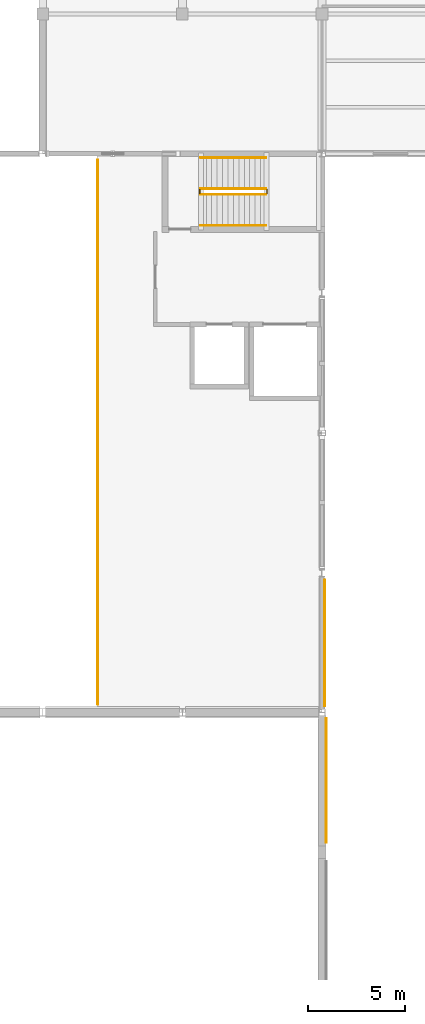
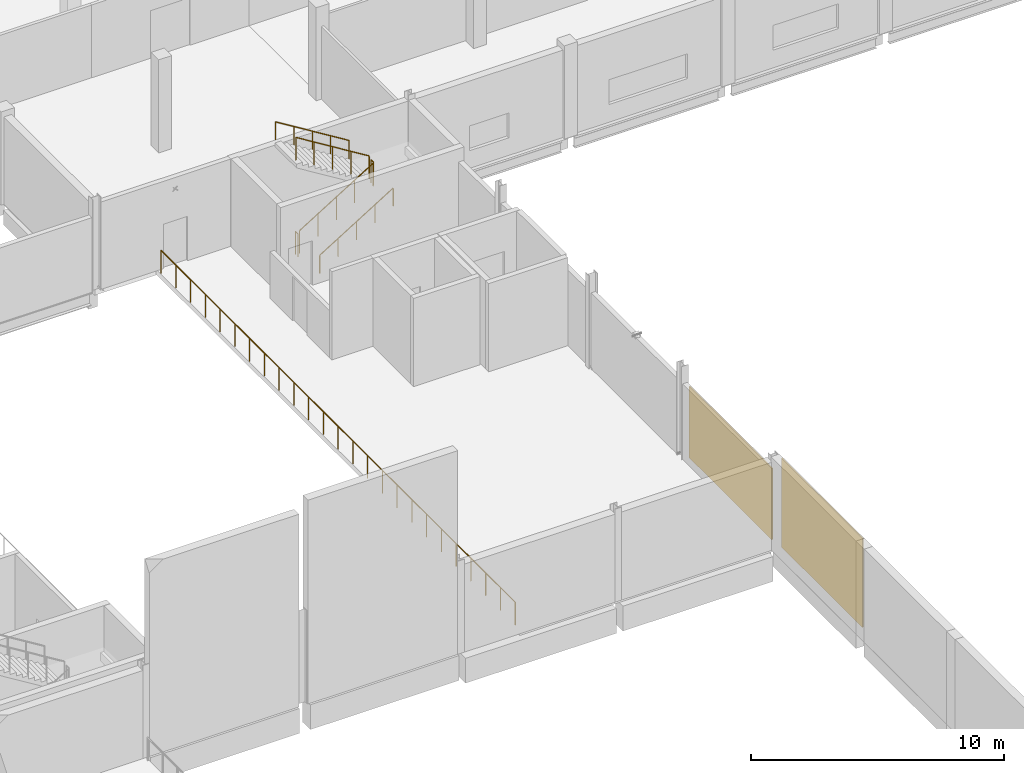
# One storey, part 73 of 76: 7 railings, 2 coverings.
"""IFC4 building model written with IfcOpenShell, lengths in metres."""

from ifc_helpers import new_model, si_unit, direction, frame, origin, origin_2d, place, context, subcontext, project, spatial, rectangle, circle, extrude, material, layer, layer_set, type_object, element, save


model = new_model("IFC4")

# Units and contexts
model_context = context("Model", 3, precision=1e-05, world=origin(), true_north=direction((0.0, 1.0)))
body_context = subcontext(model_context, "Body", "Model", "MODEL_VIEW")
ifc_project = project(units=[si_unit("LENGTHUNIT", "METRE"), si_unit("AREAUNIT", "SQUARE_METRE"), si_unit("VOLUMEUNIT", "CUBIC_METRE"), si_unit("PLANEANGLEUNIT", "RADIAN"), si_unit("MASSUNIT", "GRAM", prefix="KILO"), si_unit("THERMODYNAMICTEMPERATUREUNIT", "KELVIN"), si_unit("POWERUNIT", "WATT")], contexts=[model_context])

# Site, building, storey
site_placement = place(None, origin())
site = spatial("IfcSite", under=ifc_project, at=site_placement, CompositionType="ELEMENT")
building_placement = place(site_placement, origin())
building = spatial("IfcBuilding", under=site, at=building_placement, Name="Kaldorven Railside Theatre", CompositionType="ELEMENT")
storey_placement = place(building_placement, frame((0.0, 0.0, 14.39990234375)))
storey = spatial("IfcBuildingStorey", under=building, at=storey_placement, Name="L03", CompositionType="ELEMENT", Elevation=14.39990234375)

# Coverings
ifc_material_1 = material(Name="Bush-hammered precast concrete C40/50", Category="concrete")
ifc_layer = layer(ifc_material_1, 0.050048828125, Name="Bush-hammered precast concrete C40/50")
ifc_layer_set = layer_set([ifc_layer], Name="Bush-hammered precast concrete C40/50")
covering_type = type_object("IfcCoveringType", Name="COV-CLD-01", PredefinedType="CLADDING", material=ifc_layer_set)
covering_1_placement = place(storey_placement, frame((123.410888671875, 80.485107421875, 0.10009765625), z_axis=(0.0, 0.0, 1.0), x_axis=(0.0, -1.0, 0.0)))
element("IfcCovering", 1, at=covering_1_placement, inside=storey, type_object=covering_type, Name="Bush-Hammered Laterite Rainscreen Panel CLD-023", PredefinedType="CLADDING", context=body_context, shape_type="SweptSolid", body=[
    extrude(rectangle(XDim=6.419921875, YDim=0.050048828125, at=origin_2d()), origin(), (0.0, 0.0, 1.0), 4.300048828125),
])
covering_2_placement = place(storey_placement, frame((123.3310546875, 87.577392578125, 0.10009765625), z_axis=(0.0, 0.0, 1.0), x_axis=(0.0, -1.0, 0.0)))
element("IfcCovering", 2, at=covering_2_placement, inside=storey, type_object=covering_type, Name="Bush-Hammered Laterite Rainscreen Panel CLD-040", PredefinedType="CLADDING", context=body_context, shape_type="SweptSolid", body=[
    extrude(rectangle(XDim=6.544921875, YDim=0.050048828125, at=origin_2d()), origin(), (0.0, 0.0, 1.0), 3.455078125),
])

# Railings
ifc_material_2 = material(Name="Anodised bronze aluminium", Category="aluminium")
railing_type_1 = type_object("IfcRailingType", Name="RLG-BAL-1100", PredefinedType="BALUSTRADE", material=ifc_material_2)
railing_1_placement = place(storey_placement, frame((111.639892578125, 84.419921875, 0.0)))
element("IfcRailing", 3, at=railing_1_placement, inside=storey, type_object=railing_type_1, Name="L03 Safety Balustrade GR-122", PredefinedType="BALUSTRADE", context=body_context, shape_type="SweptSolid", body=[
    extrude(circle(Radius=0.02392578125, at=origin_2d()), frame((0.0, 0.0, 1.09619140625), z_axis=(0.0, 1.0, 0.0), x_axis=(-1.0, 0.0, 0.0)), (0.0, 0.0, 1.0), 28.050048828125),
    extrude(circle(Radius=0.02099609375, at=origin_2d()), origin(), (0.0, 0.0, 1.0), 1.072021484375),
    extrude(circle(Radius=0.02099609375, at=origin_2d()), frame((0.0, 1.168701171875, 0.0)), (0.0, 0.0, 1.0), 1.072021484375),
    extrude(circle(Radius=0.02099609375, at=origin_2d()), frame((0.0, 2.33740234375, 0.0)), (0.0, 0.0, 1.0), 1.072021484375),
    extrude(circle(Radius=0.02099609375, at=origin_2d()), frame((0.0, 3.50634765625, 0.0)), (0.0, 0.0, 1.0), 1.072021484375),
    extrude(circle(Radius=0.02099609375, at=origin_2d()), frame((0.0, 4.675048828125, 0.0)), (0.0, 0.0, 1.0), 1.072021484375),
    extrude(circle(Radius=0.02099609375, at=origin_2d()), frame((0.0, 5.84375, 0.0)), (0.0, 0.0, 1.0), 1.072021484375),
    extrude(circle(Radius=0.02099609375, at=origin_2d()), frame((0.0, 7.012451171875, 0.0)), (0.0, 0.0, 1.0), 1.072021484375),
    extrude(circle(Radius=0.02099609375, at=origin_2d()), frame((0.0, 8.18115234375, 0.0)), (0.0, 0.0, 1.0), 1.072021484375),
    extrude(circle(Radius=0.02099609375, at=origin_2d()), frame((0.0, 9.35009765625, 0.0)), (0.0, 0.0, 1.0), 1.072021484375),
    extrude(circle(Radius=0.02099609375, at=origin_2d()), frame((0.0, 10.518798828125, 0.0)), (0.0, 0.0, 1.0), 1.072021484375),
    extrude(circle(Radius=0.02099609375, at=origin_2d()), frame((0.0, 11.6875, 0.0)), (0.0, 0.0, 1.0), 1.072021484375),
    extrude(circle(Radius=0.02099609375, at=origin_2d()), frame((0.0, 12.856201171875, 0.0)), (0.0, 0.0, 1.0), 1.072021484375),
    extrude(circle(Radius=0.02099609375, at=origin_2d()), frame((0.0, 14.02490234375, 0.0)), (0.0, 0.0, 1.0), 1.072021484375),
    extrude(circle(Radius=0.02099609375, at=origin_2d()), frame((0.0, 15.19384765625, 0.0)), (0.0, 0.0, 1.0), 1.072021484375),
    extrude(circle(Radius=0.02099609375, at=origin_2d()), frame((0.0, 16.362548828125, 0.0)), (0.0, 0.0, 1.0), 1.072021484375),
    extrude(circle(Radius=0.02099609375, at=origin_2d()), frame((0.0, 17.53125, 0.0)), (0.0, 0.0, 1.0), 1.072021484375),
    extrude(circle(Radius=0.02099609375, at=origin_2d()), frame((0.0, 18.699951171875, 0.0)), (0.0, 0.0, 1.0), 1.072021484375),
    extrude(circle(Radius=0.02099609375, at=origin_2d()), frame((0.0, 19.868896484375, 0.0)), (0.0, 0.0, 1.0), 1.072021484375),
    extrude(circle(Radius=0.02099609375, at=origin_2d()), frame((0.0, 21.03759765625, 0.0)), (0.0, 0.0, 1.0), 1.072021484375),
    extrude(circle(Radius=0.02099609375, at=origin_2d()), frame((0.0, 22.206298828125, 0.0)), (0.0, 0.0, 1.0), 1.072021484375),
    extrude(circle(Radius=0.02099609375, at=origin_2d()), frame((0.0, 23.375, 0.0)), (0.0, 0.0, 1.0), 1.072021484375),
    extrude(circle(Radius=0.02099609375, at=origin_2d()), frame((0.0, 24.543701171875, 0.0)), (0.0, 0.0, 1.0), 1.072021484375),
    extrude(circle(Radius=0.02099609375, at=origin_2d()), frame((0.0, 25.712646484375, 0.0)), (0.0, 0.0, 1.0), 1.072021484375),
    extrude(circle(Radius=0.02099609375, at=origin_2d()), frame((0.0, 26.88134765625, 0.0)), (0.0, 0.0, 1.0), 1.072021484375),
    extrude(circle(Radius=0.02099609375, at=origin_2d()), frame((0.0, 28.050048828125, 0.0)), (0.0, 0.0, 1.0), 1.072021484375),
])
ifc_material_3 = material(Name="Steel S355", Category="steel")
railing_type_2 = type_object("IfcRailingType", Name="RLG-STG-1100", PredefinedType="BALUSTRADE", material=ifc_material_3)
railing_2_placement = place(storey_placement, frame((116.949951171875, 110.699951171875, 0.173095703125)))
element("IfcRailing", 4, at=railing_2_placement, inside=storey, type_object=railing_type_2, Name="L03 ST-06 stair guard 1", PredefinedType="BALUSTRADE", context=body_context, shape_type="SweptSolid", body=[
    extrude(circle(Radius=0.02392578125, at=origin_2d()), frame((0.0, 0.0, 1.09619140625), z_axis=(0.850623216509, 0.0, 0.525775754039), x_axis=(0.0, 1.0, 0.0)), (0.0, 0.0, 1.0), 3.9501953125),
    extrude(circle(Radius=0.02099609375, at=origin_2d()), origin(), (0.0, 0.0, 1.0), 1.072021484375),
    extrude(circle(Radius=0.02099609375, at=origin_2d()), frame((0.840087890625, 0.0, 0.519287109375)), (0.0, 0.0, 1.0), 1.072021484375),
    extrude(circle(Radius=0.02099609375, at=origin_2d()), frame((1.68017578125, 0.0, 1.03857421875)), (0.0, 0.0, 1.0), 1.072021484375),
    extrude(circle(Radius=0.02099609375, at=origin_2d()), frame((2.52001953125, 0.0, 1.5576171875)), (0.0, 0.0, 1.0), 1.072021484375),
    extrude(circle(Radius=0.02099609375, at=origin_2d()), frame((3.360107421875, 0.0, 2.076904296875)), (0.0, 0.0, 1.0), 1.072021484375),
])
railing_3_placement = place(storey_placement, frame((120.360107421875, 110.75, 2.25)))
element("IfcRailing", 5, at=railing_3_placement, inside=storey, type_object=railing_type_2, Name="L03 ST-06 stair guard 2", PredefinedType="BALUSTRADE", context=body_context, shape_type="SweptSolid", body=[
    extrude(circle(Radius=0.02392578125, at=origin_2d()), frame((0.0, 0.0, 1.09619140625), z_axis=(0.0, 1.0, 0.0), x_axis=(-1.0, 0.0, 0.0)), (0.0, 0.0, 1.0), 0.199951171875),
    extrude(circle(Radius=0.02099609375, at=origin_2d()), origin(), (0.0, 0.0, 1.0), 1.072021484375),
    extrude(circle(Radius=0.02099609375, at=origin_2d()), frame((0.0, 0.199951171875, 0.0)), (0.0, 0.0, 1.0), 1.072021484375),
])
railing_4_placement = place(storey_placement, frame((120.31005859375, 111.0, 2.423095703125)))
element("IfcRailing", 6, at=railing_4_placement, inside=storey, type_object=railing_type_2, Name="L03 ST-06 stair guard 3", PredefinedType="BALUSTRADE", context=body_context, shape_type="SweptSolid", body=[
    extrude(circle(Radius=0.02392578125, at=origin_2d()), frame((0.0, 0.0, 1.09619140625), z_axis=(-0.850623216509, 0.0, 0.525775754039), x_axis=(0.0, -1.0, 0.0)), (0.0, 0.0, 1.0), 3.9501953125),
    extrude(circle(Radius=0.02099609375, at=origin_2d()), origin(), (0.0, 0.0, 1.0), 1.072021484375),
    extrude(circle(Radius=0.02099609375, at=origin_2d()), frame((-0.840087890625, 0.0, 0.519287109375)), (0.0, 0.0, 1.0), 1.072021484375),
    extrude(circle(Radius=0.02099609375, at=origin_2d()), frame((-1.68017578125, 0.0, 1.03857421875)), (0.0, 0.0, 1.0), 1.072021484375),
    extrude(circle(Radius=0.02099609375, at=origin_2d()), frame((-2.52001953125, 0.0, 1.5576171875)), (0.0, 0.0, 1.0), 1.072021484375),
    extrude(circle(Radius=0.02099609375, at=origin_2d()), frame((-3.360107421875, 0.0, 2.076904296875)), (0.0, 0.0, 1.0), 1.072021484375),
])
railing_5_placement = place(storey_placement, frame((116.89990234375, 110.75, 0.0)))
element("IfcRailing", 7, at=railing_5_placement, inside=storey, type_object=railing_type_2, Name="L03 ST-06 stair guard 4", PredefinedType="BALUSTRADE", context=body_context, shape_type="SweptSolid", body=[
    extrude(circle(Radius=0.02392578125, at=origin_2d()), frame((0.0, 0.0, 1.09619140625), z_axis=(0.0, 1.0, 0.0), x_axis=(-1.0, 0.0, 0.0)), (0.0, 0.0, 1.0), 0.199951171875),
    extrude(circle(Radius=0.02099609375, at=origin_2d()), origin(), (0.0, 0.0, 1.0), 1.072021484375),
    extrude(circle(Radius=0.02099609375, at=origin_2d()), frame((0.0, 0.199951171875, 0.0)), (0.0, 0.0, 1.0), 1.072021484375),
])
railing_type_3 = type_object("IfcRailingType", Name="RLG-STH-900", PredefinedType="HANDRAIL", material=ifc_material_3)
railing_6_placement = place(storey_placement, frame((116.949951171875, 109.10009765625, 0.173095703125)))
element("IfcRailing", 8, at=railing_6_placement, inside=storey, type_object=railing_type_3, Name="L03 ST-06 stair handrail 1", PredefinedType="HANDRAIL", context=body_context, shape_type="SweptSolid", body=[
    extrude(circle(Radius=0.02392578125, at=origin_2d()), frame((0.0, 0.0, 0.8759765625), z_axis=(0.850623216509, 0.0, 0.525775754039), x_axis=(0.0, 1.0, 0.0)), (0.0, 0.0, 1.0), 3.9501953125),
    extrude(circle(Radius=0.02099609375, at=origin_2d()), origin(), (0.0, 0.0, 1.0), 0.851806640625),
    extrude(circle(Radius=0.02099609375, at=origin_2d()), frame((0.840087890625, 0.0, 0.519287109375)), (0.0, 0.0, 1.0), 0.851806640625),
    extrude(circle(Radius=0.02099609375, at=origin_2d()), frame((1.68017578125, 0.0, 1.03857421875)), (0.0, 0.0, 1.0), 0.851806640625),
    extrude(circle(Radius=0.02099609375, at=origin_2d()), frame((2.52001953125, 0.0, 1.5576171875)), (0.0, 0.0, 1.0), 0.851806640625),
    extrude(circle(Radius=0.02099609375, at=origin_2d()), frame((3.360107421875, 0.0, 2.076904296875)), (0.0, 0.0, 1.0), 0.851806640625),
])
railing_7_placement = place(storey_placement, frame((120.31005859375, 112.60009765625, 2.423095703125)))
element("IfcRailing", 9, at=railing_7_placement, inside=storey, type_object=railing_type_3, Name="L03 ST-06 stair handrail 2", PredefinedType="HANDRAIL", context=body_context, shape_type="SweptSolid", body=[
    extrude(circle(Radius=0.02392578125, at=origin_2d()), frame((0.0, 0.0, 0.8759765625), z_axis=(-0.850623216509, 0.0, 0.525775754039), x_axis=(0.0, -1.0, 0.0)), (0.0, 0.0, 1.0), 3.9501953125),
    extrude(circle(Radius=0.02099609375, at=origin_2d()), origin(), (0.0, 0.0, 1.0), 0.851806640625),
    extrude(circle(Radius=0.02099609375, at=origin_2d()), frame((-0.840087890625, 0.0, 0.519287109375)), (0.0, 0.0, 1.0), 0.851806640625),
    extrude(circle(Radius=0.02099609375, at=origin_2d()), frame((-1.68017578125, 0.0, 1.03857421875)), (0.0, 0.0, 1.0), 0.851806640625),
    extrude(circle(Radius=0.02099609375, at=origin_2d()), frame((-2.52001953125, 0.0, 1.5576171875)), (0.0, 0.0, 1.0), 0.851806640625),
    extrude(circle(Radius=0.02099609375, at=origin_2d()), frame((-3.360107421875, 0.0, 2.076904296875)), (0.0, 0.0, 1.0), 0.851806640625),
])

save(model, "model.ifc")
